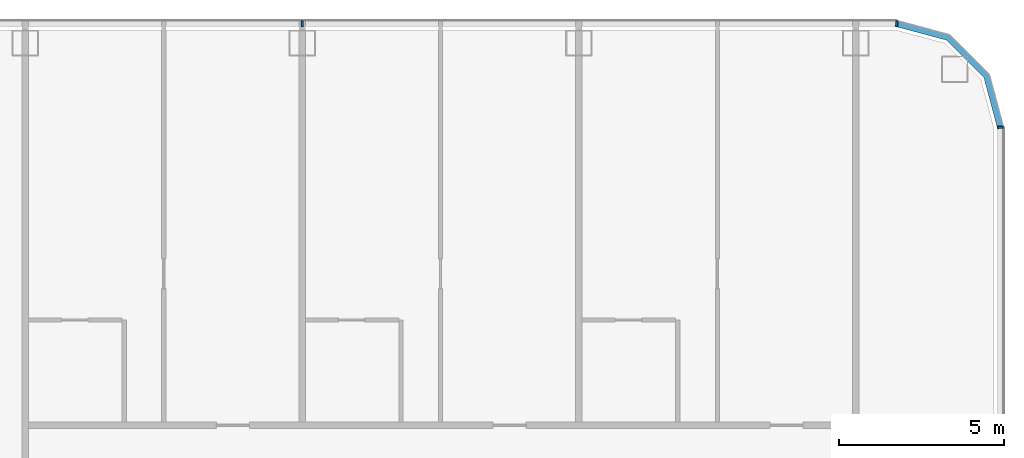
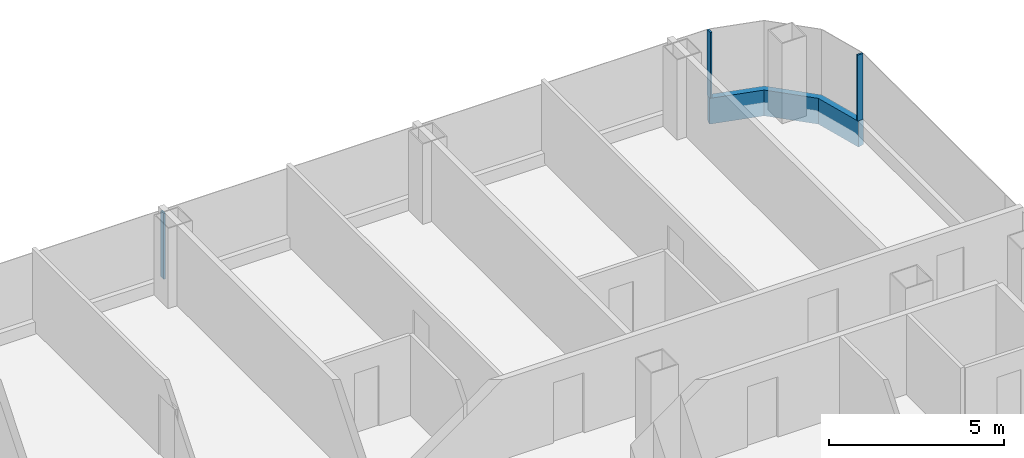
# One storey, part 13 of 29: 4 members, 3 elements without a shape of their own.
"""IFC4 building model written with IfcOpenShell, lengths in metres."""

from ifc_helpers import new_model, si_unit, direction, frame, origin, origin_2d, place, context, subcontext, project, spatial, polyline, rectangle, outline, extrude, material, layer, layer_set, material_profile, profile_set, type_object, element, aggregate, save


model = new_model("IFC4")

# Units and contexts
model_context = context("Model", 3, precision=1e-05, world=origin(), true_north=direction((0.0, 1.0)))
body_context = subcontext(model_context, "Body", "Model", "MODEL_VIEW")
ifc_project = project(units=[si_unit("LENGTHUNIT", "METRE"), si_unit("AREAUNIT", "SQUARE_METRE"), si_unit("VOLUMEUNIT", "CUBIC_METRE"), si_unit("PLANEANGLEUNIT", "RADIAN"), si_unit("MASSUNIT", "GRAM", prefix="KILO")], contexts=[model_context])

# Site, building, storey
site_placement = place(None, origin())
site = spatial("IfcSite", under=ifc_project, at=site_placement, CompositionType="ELEMENT")
building_placement = place(site_placement, origin())
building = spatial("IfcBuilding", under=site, at=building_placement, Name="Hakoniwa Tower and Hamabe Station Hall", CompositionType="ELEMENT")
storey_placement = place(building_placement, frame((0.0, 0.0, 88.199951171875)))
storey = spatial("IfcBuildingStorey", under=building, at=storey_placement, Name="L24", CompositionType="ELEMENT", Elevation=88.199951171875)

# Curtain wall, member
ifc_material_1 = material(Name="Dark low-e laminated glass", Category="glass")
ifc_layer = layer(ifc_material_1, 0.199951171875)
ifc_layer_set = layer_set([ifc_layer], Name="CW-1 UNITISED GUEST")
curtain_wall_type = type_object("IfcCurtainWallType", Name="CW-1 UNITISED GUEST", PredefinedType="NOTDEFINED", material=ifc_layer_set)
curtain_wall_1_placement = place(storey_placement, origin())
curtain_wall_1 = element("IfcCurtainWall", 1, at=curtain_wall_1_placement, inside=storey, type_object=curtain_wall_type, Name="CW-1 curtain wall", PredefinedType="NOTDEFINED")
ifc_material_2 = material(Name="Aluminium 6063-T5 black anodised", Category="aluminium")
ifc_material_profile_1 = material_profile(ifc_material_2, rectangle(XDim=0.199951171875, YDim=0.89990234375, at=origin_2d()), Name="CW SLAB-EDGE BAND 900X200")
ifc_profile_set_1 = profile_set([ifc_material_profile_1], Name="Aluminium 6063-T5 black anodised")
member_type_1 = type_object("IfcMemberType", Name="CW SLAB-EDGE BAND 900X200", PredefinedType="USERDEFINED", material=ifc_profile_set_1)
member_1_placement = place(storey_placement, frame((0.0, 0.0, -0.550048828125)))
member_1 = element("IfcMember", 2, at=member_1_placement, type_object=member_type_1, Name="CW-1 transom", ObjectType="TRANSOM", PredefinedType="USERDEFINED", context=body_context, shape_type="SweptSolid", body=[
    extrude(outline(polyline([(46.5, 20.28955078125), (46.067138671875, 21.9052734375), (44.855224609375, 23.116943359375), (43.239501953125, 23.550048828125), (43.187744140625, 23.35693359375), (44.751708984375, 22.937744140625), (45.8876953125, 21.8017578125), (46.306884765625, 20.23779296875), (46.5, 20.28955078125)])), origin(), (0.0, 0.0, 1.0), 0.900146484375),
])
aggregate(curtain_wall_1, [member_1])

curtain_wall_2_placement = place(storey_placement, origin())
curtain_wall_2 = element("IfcCurtainWall", 3, at=curtain_wall_2_placement, inside=storey, type_object=curtain_wall_type, Name="CW-1 curtain wall", PredefinedType="NOTDEFINED")
ifc_material_3 = material(Name="Aluminium 6063-T5 black anodised", Category="aluminium")
ifc_material_profile_2 = material_profile(ifc_material_3, rectangle(XDim=0.06005859375, YDim=0.179931640625, at=origin_2d()), Name="CW-1 MULLION 60X180")
ifc_profile_set_2 = profile_set([ifc_material_profile_2], Name="Aluminium 6063-T5 black anodised")
member_type_2 = type_object("IfcMemberType", Name="CW-1 MULLION 60X180", PredefinedType="MULLION", material=ifc_profile_set_2)
member_2_placement = place(storey_placement, frame((46.382080078125, 20.28955078125, 0.35009765625), z_axis=(0.0, 0.0, 1.0), x_axis=(0.0, 1.0, 0.0)))
member_2 = element("IfcMember", 4, at=member_2_placement, type_object=member_type_2, Name="CW-1 mullion", PredefinedType="MULLION", context=body_context, shape_type="SweptSolid", body=[
    extrude(rectangle(XDim=0.06005859375, YDim=0.179931640625, at=origin_2d()), origin(), (0.0, 0.0, 1.0), 2.300048828125),
])
aggregate(curtain_wall_2, [member_2])

# Curtain wall, members
curtain_wall_3_placement = place(storey_placement, origin())
curtain_wall_3 = element("IfcCurtainWall", 5, at=curtain_wall_3_placement, inside=storey, type_object=curtain_wall_type, Name="CW-1 curtain wall", PredefinedType="NOTDEFINED")
member_3_placement = place(storey_placement, frame((43.239501953125, 23.431884765625, 0.35009765625), z_axis=(0.0, 0.0, 1.0), x_axis=(-1.0, 0.0, 0.0)))
member_3 = element("IfcMember", 6, at=member_3_placement, type_object=member_type_2, Name="CW-1 mullion", PredefinedType="MULLION", context=body_context, shape_type="SweptSolid", body=[
    extrude(rectangle(XDim=0.06005859375, YDim=0.179931640625, at=origin_2d()), origin(), (0.0, 0.0, 1.0), 2.300048828125),
])
member_4_placement = place(storey_placement, frame((25.199951171875, 23.431884765625, 0.35009765625), z_axis=(0.0, 0.0, 1.0), x_axis=(-1.0, 0.0, 0.0)))
member_4 = element("IfcMember", 7, at=member_4_placement, type_object=member_type_2, Name="CW-1 mullion", PredefinedType="MULLION", context=body_context, shape_type="SweptSolid", body=[
    extrude(rectangle(XDim=0.06005859375, YDim=0.179931640625, at=origin_2d()), origin(), (0.0, 0.0, 1.0), 2.300048828125),
])
aggregate(curtain_wall_3, [member_3, member_4])

save(model, "model.ifc")
